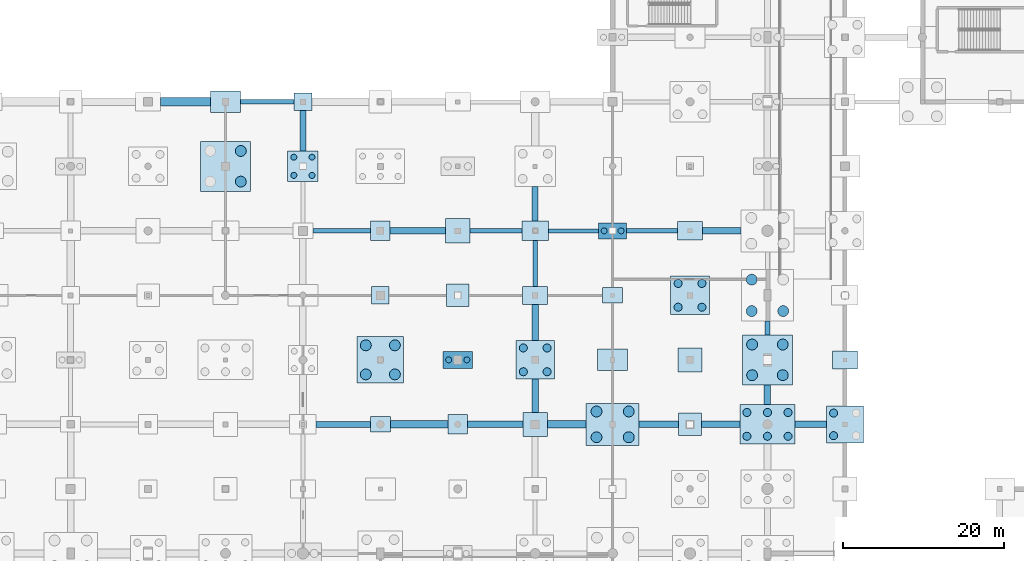
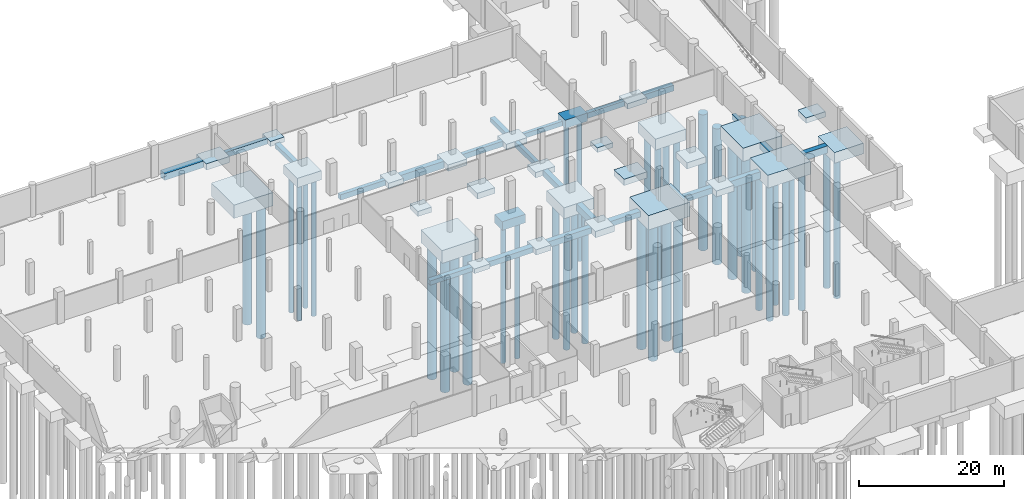
# One storey, part 8 of 44: 50 footings, 41 piles.
"""IFC4 building model written with IfcOpenShell, lengths in metres."""

from ifc_helpers import new_model, si_unit, direction, frame, origin, origin_2d, place, context, subcontext, project, spatial, rectangle, circle, extrude, material, material_profile, profile_set, type_object, element, save


model = new_model("IFC4")

# Units and contexts
model_context = context("Model", 3, precision=1e-05, world=origin(), true_north=direction((0.0, 1.0)))
body_context = subcontext(model_context, "Body", "Model", "MODEL_VIEW")
ifc_project = project(units=[si_unit("LENGTHUNIT", "METRE"), si_unit("AREAUNIT", "SQUARE_METRE"), si_unit("VOLUMEUNIT", "CUBIC_METRE"), si_unit("PLANEANGLEUNIT", "RADIAN"), si_unit("MASSUNIT", "GRAM", prefix="KILO")], contexts=[model_context])

# Site, building, storey
site_placement = place(None, origin())
site = spatial("IfcSite", under=ifc_project, at=site_placement, CompositionType="ELEMENT")
building_placement = place(site_placement, origin())
building = spatial("IfcBuilding", under=site, at=building_placement, Name="Danafjord Basin Convention Centre", CompositionType="ELEMENT")
storey_placement = place(building_placement, frame((0.0, 0.0, -5.39990234375)))
storey = spatial("IfcBuildingStorey", under=building, at=storey_placement, Name="B1", CompositionType="ELEMENT", Elevation=-5.39990234375)

# Footings
ifc_material_1 = material(Name="Concrete C40/50", Category="concrete")
footing_type_1 = type_object("IfcFootingType", Name="CAP-PC-01", PredefinedType="PILE_CAP", material=ifc_material_1)
footing_1_placement = place(storey_placement, frame((96.0, 96.0, -1.400146484375), z_axis=(0.0, 0.0, 1.0), x_axis=(1.0, 0.0, 0.0)))
element("IfcFooting", 1, at=footing_1_placement, inside=storey, type_object=footing_type_1, Name="B1 pile cap PC-01 at (96.0, 96.0)", PredefinedType="PILE_CAP", context=body_context, shape_type="SweptSolid", body=[
    extrude(rectangle(XDim=3.5, YDim=2.0, at=origin_2d()), origin(), (0.0, 0.0, 1.0), 1.39990234375),
])
footing_type_2 = type_object("IfcFootingType", Name="CAP-PC-02", PredefinedType="PILE_CAP", material=ifc_material_1)
footing_2_placement = place(storey_placement, frame((76.800048828125, 80.0, -2.05029296875), z_axis=(0.0, 0.0, 1.0), x_axis=(1.0, 0.0, 0.0)))
element("IfcFooting", 2, at=footing_2_placement, inside=storey, type_object=footing_type_2, Name="B1 pile cap PC-02 at (76.8, 80.0)", PredefinedType="PILE_CAP", context=body_context, shape_type="SweptSolid", body=[
    extrude(rectangle(XDim=3.699951171875, YDim=2.10009765625, at=origin_2d()), origin(), (0.0, 0.0, 1.0), 1.449951171875),
])
footing_type_3 = type_object("IfcFootingType", Name="CAP-PC-07", PredefinedType="PILE_CAP", material=ifc_material_1)
footing_3_placement = place(storey_placement, frame((57.60009765625, 104.0, -2.14990234375), z_axis=(0.0, 0.0, 1.0), x_axis=(1.0, 0.0, 0.0)))
element("IfcFooting", 3, at=footing_3_placement, inside=storey, type_object=footing_type_3, Name="B1 pile cap PC-07 at (57.6, 104.0)", PredefinedType="PILE_CAP", context=body_context, shape_type="SweptSolid", body=[
    extrude(rectangle(XDim=3.800048828125, YDim=3.800048828125, at=origin_2d()), origin(), (0.0, 0.0, 1.0), 1.550048828125),
])
footing_type_4 = type_object("IfcFootingType", Name="CAP-PC-10", PredefinedType="PILE_CAP", material=ifc_material_1)
footing_4_placement = place(storey_placement, frame((124.800048828125, 72.0, -1.80029296875), z_axis=(0.0, 0.0, 1.0), x_axis=(1.0, 0.0, 0.0)))
element("IfcFooting", 4, at=footing_4_placement, inside=storey, type_object=footing_type_4, Name="B1 pile cap PC-10 at (124.8, 72.0)", PredefinedType="PILE_CAP", context=body_context, shape_type="SweptSolid", body=[
    extrude(rectangle(XDim=4.60009765625, YDim=4.60009765625, at=origin_2d()), origin(), (0.0, 0.0, 1.0), 1.800048828125),
])
footing_type_5 = type_object("IfcFootingType", Name="CAP-PC-11", PredefinedType="PILE_CAP", material=ifc_material_1)
for number, where, z_axis, x_axis, name in (
    (5, (86.39990234375, 80.0, -2.4501953125), (0.0, 0.0, 1.0), (1.0, 0.0, 0.0), "B1 pile cap PC-11 at (86.4, 80.0)"),
    (6, (105.60009765625, 88.0, -2.4501953125), (0.0, 0.0, 1.0), (1.0, 0.0, 0.0), "B1 pile cap PC-11 at (105.6, 88.0)"),
):
    element("IfcFooting", number, at=place(storey_placement, frame(where, z_axis=z_axis, x_axis=x_axis)), inside=storey, type_object=footing_type_5, Name=name, PredefinedType="PILE_CAP", context=body_context, shape_type="SweptSolid", body=[
        extrude(rectangle(XDim=4.800048828125, YDim=4.800048828125, at=origin_2d()), origin(), (0.0, 0.0, 1.0), 1.85009765625),
    ])
footing_type_6 = type_object("IfcFootingType", Name="CAP-PC-15", PredefinedType="PILE_CAP", material=ifc_material_1)
footing_5_placement = place(storey_placement, frame((67.199951171875, 80.0, -2.75), z_axis=(0.0, 0.0, 1.0), x_axis=(1.0, 0.0, 0.0)))
element("IfcFooting", 7, at=footing_5_placement, inside=storey, type_object=footing_type_6, Name="B1 pile cap PC-15 at (67.2, 80.0)", PredefinedType="PILE_CAP", context=body_context, shape_type="SweptSolid", body=[
    extrude(rectangle(XDim=5.800048828125, YDim=5.800048828125, at=origin_2d()), origin(), (0.0, 0.0, 1.0), 2.14990234375),
])
footing_type_7 = type_object("IfcFootingType", Name="CAP-PC-19", PredefinedType="PILE_CAP", material=ifc_material_1)
footing_6_placement = place(storey_placement, frame((115.199951171875, 72.0, -2.150146484375), z_axis=(0.0, 0.0, 1.0), x_axis=(1.0, 0.0, 0.0)))
element("IfcFooting", 8, at=footing_6_placement, inside=storey, type_object=footing_type_7, Name="B1 pile cap PC-19 at (115.2, 72.0)", PredefinedType="PILE_CAP", context=body_context, shape_type="SweptSolid", body=[
    extrude(rectangle(XDim=6.800048828125, YDim=4.89990234375, at=origin_2d()), origin(), (0.0, 0.0, 1.0), 2.14990234375),
])
footing_type_8 = type_object("IfcFootingType", Name="CAP-PC-20", PredefinedType="PILE_CAP", material=ifc_material_1)
for number, where, z_axis, x_axis, name in (
    (9, (48.0, 104.0, -2.85009765625), (0.0, 0.0, 1.0), (1.0, 0.0, 0.0), "B1 pile cap PC-20 at (48.0, 104.0)"),
    (10, (115.199951171875, 80.0, -2.25), (0.0, 0.0, 1.0), (1.0, 0.0, 0.0), "B1 pile cap PC-20 at (115.2, 80.0)"),
):
    element("IfcFooting", number, at=place(storey_placement, frame(where, z_axis=z_axis, x_axis=x_axis)), inside=storey, type_object=footing_type_8, Name=name, PredefinedType="PILE_CAP", context=body_context, shape_type="SweptSolid", body=[
        extrude(rectangle(XDim=6.199951171875, YDim=6.199951171875, at=origin_2d()), origin(), (0.0, 0.0, 1.0), 2.25),
    ])
footing_type_9 = type_object("IfcFootingType", Name="CAP-PC-22", PredefinedType="PILE_CAP", material=ifc_material_1)
footing_7_placement = place(storey_placement, frame((96.0, 72.0, -2.400146484375), z_axis=(0.0, 0.0, 1.0), x_axis=(1.0, 0.0, 0.0)))
element("IfcFooting", 11, at=footing_7_placement, inside=storey, type_object=footing_type_9, Name="B1 pile cap PC-22 at (96.0, 72.0)", PredefinedType="PILE_CAP", context=body_context, shape_type="SweptSolid", body=[
    extrude(rectangle(XDim=6.60009765625, YDim=5.199951171875, at=origin_2d()), origin(), (0.0, 0.0, 1.0), 2.39990234375),
])
ifc_material_profile_1 = material_profile(ifc_material_1, rectangle(XDim=0.800048828125, YDim=1.0, at=origin_2d()), Name="GB 800x1000")
ifc_profile_set_1 = profile_set([ifc_material_profile_1], Name="Concrete C40/50")
footing_type_10 = type_object("IfcFootingType", Name="FBM-FB-01", PredefinedType="FOOTING_BEAM", material=ifc_profile_set_1)
footing_8_placement = place(storey_placement, frame((78.0, 72.0, -1.10009765625), z_axis=(1.0, 0.0, 0.0), x_axis=(0.0, 1.0, 0.0)))
element("IfcFooting", 12, at=footing_8_placement, inside=storey, type_object=footing_type_10, Name="B1 foundation beam FB-01", PredefinedType="FOOTING_BEAM", context=body_context, shape_type="SweptSolid", body=[
    extrude(rectangle(XDim=0.800048828125, YDim=1.0, at=origin_2d()), origin(), (0.0, 0.0, 1.0), 6.89990234375),
])
footing_9_placement = place(storey_placement, frame((86.39990234375, 82.39990234375, -1.10009765625), z_axis=(0.0, 1.0, 0.0), x_axis=(-1.0, 0.0, 0.0)))
element("IfcFooting", 13, at=footing_9_placement, inside=storey, type_object=footing_type_10, Name="B1 foundation tie beam FB-01", PredefinedType="FOOTING_BEAM", context=body_context, shape_type="SweptSolid", body=[
    extrude(rectangle(XDim=0.800048828125, YDim=1.0, at=origin_2d()), origin(), (0.0, 0.0, 1.0), 4.47509765625),
])
footing_10_placement = place(storey_placement, frame((99.300048828125, 72.0, -1.10009765625), z_axis=(1.0, 0.0, 0.0), x_axis=(0.0, 1.0, 0.0)))
element("IfcFooting", 14, at=footing_10_placement, inside=storey, type_object=footing_type_10, Name="B1 foundation beam FB-01", PredefinedType="FOOTING_BEAM", context=body_context, shape_type="SweptSolid", body=[
    extrude(rectangle(XDim=0.800048828125, YDim=1.0, at=origin_2d()), origin(), (0.0, 0.0, 1.0), 4.89990234375),
])
footing_11_placement = place(storey_placement, frame((107.14990234375, 96.0, -1.10009765625), z_axis=(1.0, 0.0, 0.0), x_axis=(0.0, 1.0, 0.0)))
element("IfcFooting", 15, at=footing_11_placement, inside=storey, type_object=footing_type_10, Name="B1 foundation beam FB-01", PredefinedType="FOOTING_BEAM", context=body_context, shape_type="SweptSolid", body=[
    extrude(rectangle(XDim=0.800048828125, YDim=1.0, at=origin_2d()), origin(), (0.0, 0.0, 1.0), 4.75),
])
footing_12_placement = place(storey_placement, frame((115.199951171875, 74.449951171875, -0.5), z_axis=(0.0, 1.0, 0.0), x_axis=(-1.0, 0.0, 0.0)))
element("IfcFooting", 16, at=footing_12_placement, inside=storey, type_object=footing_type_10, Name="B1 foundation tie beam FB-01", PredefinedType="FOOTING_BEAM", context=body_context, shape_type="SweptSolid", body=[
    extrude(rectangle(XDim=0.800048828125, YDim=1.0, at=origin_2d()), origin(), (0.0, 0.0, 1.0), 2.449951171875),
])
ifc_material_profile_2 = material_profile(ifc_material_1, rectangle(XDim=0.60009765625, YDim=0.89990234375, at=origin_2d()), Name="GB 600x900")
ifc_profile_set_2 = profile_set([ifc_material_profile_2], Name="Concrete C40/50")
footing_type_11 = type_object("IfcFootingType", Name="FBM-FB-02", PredefinedType="FOOTING_BEAM", material=ifc_profile_set_2)
footing_13_placement = place(storey_placement, frame((49.85009765625, 112.0, -0.4501953125), z_axis=(1.0, 0.0, 0.0), x_axis=(0.0, 1.0, 0.0)))
element("IfcFooting", 17, at=footing_13_placement, inside=storey, type_object=footing_type_11, Name="B1 foundation beam FB-02", PredefinedType="FOOTING_BEAM", context=body_context, shape_type="SweptSolid", body=[
    extrude(rectangle(XDim=0.60009765625, YDim=0.89990234375, at=origin_2d()), origin(), (0.0, 0.0, 1.0), 6.64990234375),
])
footing_14_placement = place(storey_placement, frame((58.85009765625, 96.0, -1.050048828125), z_axis=(1.0, 0.0, 0.0), x_axis=(0.0, 1.0, 0.0)))
element("IfcFooting", 18, at=footing_14_placement, inside=storey, type_object=footing_type_11, Name="B1 foundation beam FB-02", PredefinedType="FOOTING_BEAM", context=body_context, shape_type="SweptSolid", body=[
    extrude(rectangle(XDim=0.60009765625, YDim=0.89990234375, at=origin_2d()), origin(), (0.0, 0.0, 1.0), 7.14990234375),
])
footing_15_placement = place(storey_placement, frame((78.300048828125, 96.0, -1.050048828125), z_axis=(1.0, 0.0, 0.0), x_axis=(0.0, 1.0, 0.0)))
element("IfcFooting", 19, at=footing_15_placement, inside=storey, type_object=footing_type_11, Name="B1 foundation beam FB-02", PredefinedType="FOOTING_BEAM", context=body_context, shape_type="SweptSolid", body=[
    extrude(rectangle(XDim=0.60009765625, YDim=0.89990234375, at=origin_2d()), origin(), (0.0, 0.0, 1.0), 6.449951171875),
])
footing_16_placement = place(storey_placement, frame((86.39990234375, 89.125, -1.050048828125), z_axis=(0.0, 1.0, 0.0), x_axis=(-1.0, 0.0, 0.0)))
element("IfcFooting", 20, at=footing_16_placement, inside=storey, type_object=footing_type_11, Name="B1 foundation tie beam FB-02", PredefinedType="FOOTING_BEAM", context=body_context, shape_type="SweptSolid", body=[
    extrude(rectangle(XDim=0.60009765625, YDim=0.89990234375, at=origin_2d()), origin(), (0.0, 0.0, 1.0), 5.675048828125),
])
footing_17_placement = place(storey_placement, frame((97.75, 96.0, -1.050048828125), z_axis=(1.0, 0.0, 0.0), x_axis=(0.0, 1.0, 0.0)))
element("IfcFooting", 21, at=footing_17_placement, inside=storey, type_object=footing_type_11, Name="B1 foundation beam FB-02", PredefinedType="FOOTING_BEAM", context=body_context, shape_type="SweptSolid", body=[
    extrude(rectangle(XDim=0.60009765625, YDim=0.89990234375, at=origin_2d()), origin(), (0.0, 0.0, 1.0), 6.300048828125),
])
footing_18_placement = place(storey_placement, frame((115.199951171875, 83.10009765625, -0.4501953125), z_axis=(0.0, 1.0, 0.0), x_axis=(-1.0, 0.0, 0.0)))
element("IfcFooting", 22, at=footing_18_placement, inside=storey, type_object=footing_type_11, Name="B1 foundation tie beam FB-02", PredefinedType="FOOTING_BEAM", context=body_context, shape_type="SweptSolid", body=[
    extrude(rectangle(XDim=0.60009765625, YDim=0.89990234375, at=origin_2d()), origin(), (0.0, 0.0, 1.0), 1.699951171875),
])
ifc_material_profile_3 = material_profile(ifc_material_1, rectangle(XDim=0.5, YDim=0.800048828125, at=origin_2d()), Name="PCB 500x800")
ifc_profile_set_3 = profile_set([ifc_material_profile_3], Name="Concrete C40/50")
footing_type_12 = type_object("IfcFootingType", Name="FBM-FB-03", PredefinedType="FOOTING_BEAM", material=ifc_profile_set_3)
footing_19_placement = place(storey_placement, frame((88.050048828125, 96.0, -1.0), z_axis=(1.0, 0.0, 0.0), x_axis=(0.0, 1.0, 0.0)))
element("IfcFooting", 23, at=footing_19_placement, inside=storey, type_object=footing_type_12, Name="B1 foundation beam FB-03", PredefinedType="FOOTING_BEAM", context=body_context, shape_type="SweptSolid", body=[
    extrude(rectangle(XDim=0.5, YDim=0.800048828125, at=origin_2d()), origin(), (0.0, 0.0, 1.0), 6.199951171875),
])
ifc_material_profile_4 = material_profile(ifc_material_1, rectangle(XDim=0.75, YDim=0.75, at=origin_2d()), Name="RC 750x750")
ifc_profile_set_4 = profile_set([ifc_material_profile_4], Name="Concrete C40/50")
footing_type_13 = type_object("IfcFootingType", Name="FBM-FB-04", PredefinedType="FOOTING_BEAM", material=ifc_profile_set_4)
footing_20_placement = place(storey_placement, frame((59.25, 72.0, -0.97509765625), z_axis=(1.0, 0.0, 0.0), x_axis=(0.0, 1.0, 0.0)))
element("IfcFooting", 24, at=footing_20_placement, inside=storey, type_object=footing_type_13, Name="B1 foundation beam FB-04", PredefinedType="FOOTING_BEAM", context=body_context, shape_type="SweptSolid", body=[
    extrude(rectangle(XDim=0.75, YDim=0.75, at=origin_2d()), origin(), (0.0, 0.0, 1.0), 6.699951171875),
])
footing_21_placement = place(storey_placement, frame((57.60009765625, 105.89990234375, -0.97509765625), z_axis=(0.0, 1.0, 0.0), x_axis=(-1.0, 0.0, 0.0)))
element("IfcFooting", 25, at=footing_21_placement, inside=storey, type_object=footing_type_13, Name="B1 foundation tie beam FB-04", PredefinedType="FOOTING_BEAM", context=body_context, shape_type="SweptSolid", body=[
    extrude(rectangle(XDim=0.75, YDim=0.75, at=origin_2d()), origin(), (0.0, 0.0, 1.0), 5.0),
])
footing_22_placement = place(storey_placement, frame((86.39990234375, 97.199951171875, -0.97509765625), z_axis=(0.0, 1.0, 0.0), x_axis=(-1.0, 0.0, 0.0)))
element("IfcFooting", 26, at=footing_22_placement, inside=storey, type_object=footing_type_13, Name="B1 foundation tie beam FB-04", PredefinedType="FOOTING_BEAM", context=body_context, shape_type="SweptSolid", body=[
    extrude(rectangle(XDim=0.75, YDim=0.75, at=origin_2d()), origin(), (0.0, 0.0, 1.0), 4.300048828125),
])
ifc_material_profile_5 = material_profile(ifc_material_1, rectangle(XDim=0.89990234375, YDim=0.89990234375, at=origin_2d()), Name="RC 900x900")
ifc_profile_set_5 = profile_set([ifc_material_profile_5], Name="Concrete C40/50")
footing_type_14 = type_object("IfcFootingType", Name="FBM-FB-05", PredefinedType="FOOTING_BEAM", material=ifc_profile_set_5)
footing_23_placement = place(storey_placement, frame((68.449951171875, 72.0, -1.050048828125), z_axis=(1.0, 0.0, 0.0), x_axis=(0.0, 1.0, 0.0)))
element("IfcFooting", 27, at=footing_23_placement, inside=storey, type_object=footing_type_14, Name="B1 foundation beam FB-05", PredefinedType="FOOTING_BEAM", context=body_context, shape_type="SweptSolid", body=[
    extrude(rectangle(XDim=0.89990234375, YDim=0.89990234375, at=origin_2d()), origin(), (0.0, 0.0, 1.0), 7.150146484375),
])
footing_24_placement = place(storey_placement, frame((87.89990234375, 72.0, -1.050048828125), z_axis=(1.0, 0.0, 0.0), x_axis=(0.0, 1.0, 0.0)))
element("IfcFooting", 28, at=footing_24_placement, inside=storey, type_object=footing_type_14, Name="B1 foundation beam FB-05", PredefinedType="FOOTING_BEAM", context=body_context, shape_type="SweptSolid", body=[
    extrude(rectangle(XDim=0.89990234375, YDim=0.89990234375, at=origin_2d()), origin(), (0.0, 0.0, 1.0), 4.800048828125),
])
ifc_material_profile_6 = material_profile(ifc_material_1, rectangle(XDim=0.800048828125, YDim=1.199951171875, at=origin_2d()), Name="RC 1200x800")
ifc_profile_set_6 = profile_set([ifc_material_profile_6], Name="Concrete C40/50")
footing_type_15 = type_object("IfcFootingType", Name="FBM-FB-06", PredefinedType="FOOTING_BEAM", material=ifc_profile_set_6)
footing_25_placement = place(storey_placement, frame((68.39990234375, 96.0, -1.2001953125), z_axis=(1.0, 0.0, 0.0), x_axis=(0.0, 1.0, 0.0)))
element("IfcFooting", 29, at=footing_25_placement, inside=storey, type_object=footing_type_15, Name="B1 foundation beam FB-06", PredefinedType="FOOTING_BEAM", context=body_context, shape_type="SweptSolid", body=[
    extrude(rectangle(XDim=0.800048828125, YDim=1.199951171875, at=origin_2d()), origin(), (0.0, 0.0, 1.0), 6.900146484375),
])
footing_26_placement = place(storey_placement, frame((86.39990234375, 73.5, -1.2001953125), z_axis=(0.0, 1.0, 0.0), x_axis=(-1.0, 0.0, 0.0)))
element("IfcFooting", 30, at=footing_26_placement, inside=storey, type_object=footing_type_15, Name="B1 foundation tie beam FB-06", PredefinedType="FOOTING_BEAM", context=body_context, shape_type="SweptSolid", body=[
    extrude(rectangle(XDim=0.800048828125, YDim=1.199951171875, at=origin_2d()), origin(), (0.0, 0.0, 1.0), 4.10009765625),
])
footing_27_placement = place(storey_placement, frame((107.0, 72.0, -1.2001953125), z_axis=(1.0, 0.0, 0.0), x_axis=(0.0, 1.0, 0.0)))
element("IfcFooting", 31, at=footing_27_placement, inside=storey, type_object=footing_type_15, Name="B1 foundation beam FB-06", PredefinedType="FOOTING_BEAM", context=body_context, shape_type="SweptSolid", body=[
    extrude(rectangle(XDim=0.800048828125, YDim=1.199951171875, at=origin_2d()), origin(), (0.0, 0.0, 1.0), 4.800048828125),
])
footing_28_placement = place(storey_placement, frame((118.60009765625, 72.0, -0.60009765625), z_axis=(1.0, 0.0, 0.0), x_axis=(0.0, 1.0, 0.0)))
element("IfcFooting", 32, at=footing_28_placement, inside=storey, type_object=footing_type_15, Name="B1 foundation beam FB-06", PredefinedType="FOOTING_BEAM", context=body_context, shape_type="SweptSolid", body=[
    extrude(rectangle(XDim=0.800048828125, YDim=1.199951171875, at=origin_2d()), origin(), (0.0, 0.0, 1.0), 3.89990234375),
])
ifc_material_profile_7 = material_profile(ifc_material_1, rectangle(XDim=1.10009765625, YDim=1.10009765625, at=origin_2d()), Name="RC 1100x1100")
ifc_profile_set_7 = profile_set([ifc_material_profile_7], Name="Concrete C40/50")
footing_type_16 = type_object("IfcFootingType", Name="FBM-SF-01", PredefinedType="STRIP_FOOTING", material=ifc_profile_set_7)
footing_29_placement = place(storey_placement, frame((39.949951171875, 112.0, -0.550048828125), z_axis=(1.0, 0.0, 0.0), x_axis=(0.0, 1.0, 0.0)))
element("IfcFooting", 33, at=footing_29_placement, inside=storey, type_object=footing_type_16, Name="B1 foundation beam SF-01", PredefinedType="STRIP_FOOTING", context=body_context, shape_type="SweptSolid", body=[
    extrude(rectangle(XDim=1.10009765625, YDim=1.10009765625, at=origin_2d()), origin(), (0.0, 0.0, 1.0), 6.199951171875),
])
ifc_material_2 = material(Name="Concrete C35/45", Category="concrete")
footing_type_17 = type_object("IfcFootingType", Name="PAD-PF-02", PredefinedType="PAD_FOOTING", material=ifc_material_2)
for number, where, z_axis, x_axis, name in (
    (34, (57.60009765625, 112.0, -0.85009765625), (0.0, 0.0, 1.0), (1.0, 0.0, 0.0), "B1 pad footing PF-02 at (57.6, 112.0)"),
    (35, (67.199951171875, 88.0, -1.4501953125), (0.0, 0.0, 1.0), (1.0, 0.0, 0.0), "B1 pad footing PF-02 at (67.2, 88.0)"),
):
    element("IfcFooting", number, at=place(storey_placement, frame(where, z_axis=z_axis, x_axis=x_axis)), inside=storey, type_object=footing_type_17, Name=name, PredefinedType="PAD_FOOTING", context=body_context, shape_type="SweptSolid", body=[
        extrude(rectangle(XDim=2.199951171875, YDim=2.199951171875, at=origin_2d()), origin(), (0.0, 0.0, 1.0), 0.85009765625),
    ])
footing_type_18 = type_object("IfcFootingType", Name="PAD-PF-03", PredefinedType="PAD_FOOTING", material=ifc_material_2)
for number, where, z_axis, x_axis, name in (
    (36, (67.199951171875, 96.0, -1.5), (0.0, 0.0, 1.0), (1.0, 0.0, 0.0), "B1 pad footing PF-03 at (67.2, 96.0)"),
    (37, (76.800048828125, 72.0, -1.5), (0.0, 0.0, 1.0), (1.0, 0.0, 0.0), "B1 pad footing PF-03 at (76.8, 72.0)"),
):
    element("IfcFooting", number, at=place(storey_placement, frame(where, z_axis=z_axis, x_axis=x_axis)), inside=storey, type_object=footing_type_18, Name=name, PredefinedType="PAD_FOOTING", context=body_context, shape_type="SweptSolid", body=[
        extrude(rectangle(XDim=2.39990234375, YDim=2.39990234375, at=origin_2d()), origin(), (0.0, 0.0, 1.0), 0.89990234375),
    ])
footing_type_19 = type_object("IfcFootingType", Name="PAD-PF-05", PredefinedType="PAD_FOOTING", material=ifc_material_2)
for number, where, z_axis, x_axis, name in (
    (38, (76.800048828125, 88.0, -1.60009765625), (0.0, 0.0, 1.0), (1.0, 0.0, 0.0), "B1 pad footing PF-05 at (76.8, 88.0)"),
    (39, (105.60009765625, 72.0, -1.60009765625), (0.0, 0.0, 1.0), (1.0, 0.0, 0.0), "B1 pad footing PF-05 at (105.6, 72.0)"),
):
    element("IfcFooting", number, at=place(storey_placement, frame(where, z_axis=z_axis, x_axis=x_axis)), inside=storey, type_object=footing_type_19, Name=name, PredefinedType="PAD_FOOTING", context=body_context, shape_type="SweptSolid", body=[
        extrude(rectangle(XDim=2.800048828125, YDim=2.800048828125, at=origin_2d()), origin(), (0.0, 0.0, 1.0), 1.0),
    ])
footing_type_20 = type_object("IfcFootingType", Name="PAD-PF-06", PredefinedType="PAD_FOOTING", material=ifc_material_2)
for number, where, z_axis, x_axis, name in (
    (40, (76.800048828125, 96.0, -1.64990234375), (0.0, 0.0, 1.0), (1.0, 0.0, 0.0), "B1 pad footing PF-06 at (76.8, 96.0)"),
    (41, (86.39990234375, 72.0, -1.64990234375), (0.0, 0.0, 1.0), (1.0, 0.0, 0.0), "B1 pad footing PF-06 at (86.4, 72.0)"),
    (42, (105.60009765625, 80.0, -1.64990234375), (0.0, 0.0, 1.0), (1.0, 0.0, 0.0), "B1 pad footing PF-06 at (105.6, 80.0)"),
):
    element("IfcFooting", number, at=place(storey_placement, frame(where, z_axis=z_axis, x_axis=x_axis)), inside=storey, type_object=footing_type_20, Name=name, PredefinedType="PAD_FOOTING", context=body_context, shape_type="SweptSolid", body=[
        extrude(rectangle(XDim=3.0, YDim=3.0, at=origin_2d()), origin(), (0.0, 0.0, 1.0), 1.050048828125),
    ])
footing_type_21 = type_object("IfcFootingType", Name="PAD-PF-08", PredefinedType="PAD_FOOTING", material=ifc_material_2)
for number, where, z_axis, x_axis, name in (
    (43, (86.39990234375, 88.0, -1.5), (0.0, 0.0, 1.0), (1.0, 0.0, 0.0), "B1 pad footing PF-08 at (86.4, 88.0)"),
    (44, (105.60009765625, 96.0, -1.5), (0.0, 0.0, 1.0), (1.0, 0.0, 0.0), "B1 pad footing PF-08 at (105.6, 96.0)"),
    (45, (124.800048828125, 80.0, -0.900146484375), (0.0, 0.0, 1.0), (1.0, 0.0, 0.0), "B1 pad footing PF-08 at (124.8, 80.0)"),
):
    element("IfcFooting", number, at=place(storey_placement, frame(where, z_axis=z_axis, x_axis=x_axis)), inside=storey, type_object=footing_type_21, Name=name, PredefinedType="PAD_FOOTING", context=body_context, shape_type="SweptSolid", body=[
        extrude(rectangle(XDim=3.10009765625, YDim=2.25, at=origin_2d()), origin(), (0.0, 0.0, 1.0), 0.89990234375),
    ])
footing_type_22 = type_object("IfcFootingType", Name="PAD-PF-09", PredefinedType="PAD_FOOTING", material=ifc_material_2)
footing_30_placement = place(storey_placement, frame((86.39990234375, 96.0, -1.55029296875), z_axis=(0.0, 0.0, 1.0), x_axis=(1.0, 0.0, 0.0)))
element("IfcFooting", 46, at=footing_30_placement, inside=storey, type_object=footing_type_22, Name="B1 pad footing PF-09 at (86.4, 96.0)", PredefinedType="PAD_FOOTING", context=body_context, shape_type="SweptSolid", body=[
    extrude(rectangle(XDim=3.300048828125, YDim=2.39990234375, at=origin_2d()), origin(), (0.0, 0.0, 1.0), 0.949951171875),
])
footing_type_23 = type_object("IfcFootingType", Name="PAD-PF-11", PredefinedType="PAD_FOOTING", material=ifc_material_2)
for number, where, z_axis, x_axis, name in (
    (47, (48.0, 112.0, -1.05029296875), (0.0, 0.0, 1.0), (1.0, 0.0, 0.0), "B1 pad footing PF-11 at (48.0, 112.0)"),
    (48, (96.0, 80.0, -1.05029296875), (0.0, 0.0, 1.0), (1.0, 0.0, 0.0), "B1 pad footing PF-11 at (96.0, 80.0)"),
):
    element("IfcFooting", number, at=place(storey_placement, frame(where, z_axis=z_axis, x_axis=x_axis)), inside=storey, type_object=footing_type_23, Name=name, PredefinedType="PAD_FOOTING", context=body_context, shape_type="SweptSolid", body=[
        extrude(rectangle(XDim=3.699951171875, YDim=2.699951171875, at=origin_2d()), origin(), (0.0, 0.0, 1.0), 1.050048828125),
    ])
footing_type_24 = type_object("IfcFootingType", Name="PAD-PF-12", PredefinedType="PAD_FOOTING", material=ifc_material_2)
for number, where, z_axis, x_axis, name in (
    (49, (67.199951171875, 72.0, -1.39990234375), (0.0, 0.0, 1.0), (1.0, 0.0, 0.0), "B1 pad footing PF-12 at (67.2, 72.0)"),
    (50, (96.0, 88.0, -0.80029296875), (0.0, 0.0, 1.0), (1.0, 0.0, 0.0), "B1 pad footing PF-12 at (96.0, 88.0)"),
):
    element("IfcFooting", number, at=place(storey_placement, frame(where, z_axis=z_axis, x_axis=x_axis)), inside=storey, type_object=footing_type_24, Name=name, PredefinedType="PAD_FOOTING", context=body_context, shape_type="SweptSolid", body=[
        extrude(rectangle(XDim=2.5, YDim=1.89990234375, at=origin_2d()), origin(), (0.0, 0.0, 1.0), 0.800048828125),
    ])

# Piles
ifc_material_profile_8 = material_profile(ifc_material_1, circle(Radius=0.5, at=origin_2d()), Name="PILE D1000")
ifc_profile_set_8 = profile_set([ifc_material_profile_8], Name="Concrete C40/50")
pile_type_1 = type_object("IfcPileType", Name="PILE-PL-1000", PredefinedType="BORED", material=ifc_profile_set_8)
for number, where, z_axis, x_axis, name in (
    (51, (84.925048828125, 78.52490234375, -2.35009765625), (0.0, 0.0, -1.0), (1.0, 0.0, 0.0), "PC-11 bored pile 1-1"),
    (52, (84.925048828125, 81.47509765625, -2.35009765625), (0.0, 0.0, -1.0), (1.0, 0.0, 0.0), "PC-11 bored pile 1-2"),
    (53, (87.875, 78.52490234375, -2.35009765625), (0.0, 0.0, -1.0), (1.0, 0.0, 0.0), "PC-11 bored pile 2-1"),
    (54, (87.875, 81.47509765625, -2.35009765625), (0.0, 0.0, -1.0), (1.0, 0.0, 0.0), "PC-11 bored pile 2-2"),
    (55, (104.125, 86.52490234375, -2.35009765625), (0.0, 0.0, -1.0), (1.0, 0.0, 0.0), "PC-11 bored pile 1-1"),
    (56, (104.125, 89.47509765625, -2.35009765625), (0.0, 0.0, -1.0), (1.0, 0.0, 0.0), "PC-11 bored pile 1-2"),
    (57, (107.074951171875, 86.52490234375, -2.35009765625), (0.0, 0.0, -1.0), (1.0, 0.0, 0.0), "PC-11 bored pile 2-1"),
    (58, (107.074951171875, 89.47509765625, -2.35009765625), (0.0, 0.0, -1.0), (1.0, 0.0, 0.0), "PC-11 bored pile 2-2"),
):
    element("IfcPile", number, at=place(storey_placement, frame(where, z_axis=z_axis, x_axis=x_axis)), inside=storey, type_object=pile_type_1, Name=name, PredefinedType="BORED", context=body_context, shape_type="SweptSolid", body=[
        extrude(circle(Radius=0.5, at=origin_2d()), origin(), (0.0, 0.0, 1.0), 22.75),
    ])
for number, where, z_axis, x_axis, name in (
    (59, (112.64990234375, 70.52490234375, -2.050048828125), (0.0, 0.0, -1.0), (1.0, 0.0, 0.0), "PC-19 bored pile 1-1"),
    (60, (112.64990234375, 73.47509765625, -2.050048828125), (0.0, 0.0, -1.0), (1.0, 0.0, 0.0), "PC-19 bored pile 1-2"),
    (61, (115.199951171875, 70.52490234375, -2.050048828125), (0.0, 0.0, -1.0), (1.0, 0.0, 0.0), "PC-19 bored pile 2-1"),
    (62, (115.199951171875, 73.47509765625, -2.050048828125), (0.0, 0.0, -1.0), (1.0, 0.0, 0.0), "PC-19 bored pile 2-2"),
    (63, (117.75, 70.52490234375, -2.050048828125), (0.0, 0.0, -1.0), (1.0, 0.0, 0.0), "PC-19 bored pile 3-1"),
    (64, (117.75, 73.47509765625, -2.050048828125), (0.0, 0.0, -1.0), (1.0, 0.0, 0.0), "PC-19 bored pile 3-2"),
):
    element("IfcPile", number, at=place(storey_placement, frame(where, z_axis=z_axis, x_axis=x_axis)), inside=storey, type_object=pile_type_1, Name=name, PredefinedType="BORED", context=body_context, shape_type="SweptSolid", body=[
        extrude(circle(Radius=0.5, at=origin_2d()), origin(), (0.0, 0.0, 1.0), 23.050048828125),
    ])
for number, where, z_axis, x_axis, name in (
    (65, (123.39990234375, 70.60009765625, -1.7001953125), (0.0, 0.0, -1.0), (1.0, 0.0, 0.0), "PC-10 bored pile 1-1"),
    (66, (123.39990234375, 73.39990234375, -1.7001953125), (0.0, 0.0, -1.0), (1.0, 0.0, 0.0), "PC-10 bored pile 1-2"),
):
    element("IfcPile", number, at=place(storey_placement, frame(where, z_axis=z_axis, x_axis=x_axis)), inside=storey, type_object=pile_type_1, Name=name, PredefinedType="BORED", context=body_context, shape_type="SweptSolid", body=[
        extrude(circle(Radius=0.5, at=origin_2d()), origin(), (0.0, 0.0, 1.0), 23.39990234375),
    ])
ifc_material_profile_9 = material_profile(ifc_material_1, circle(Radius=0.675048828125, at=origin_2d()), Name="PILE D1350")
ifc_profile_set_9 = profile_set([ifc_material_profile_9], Name="Concrete C40/50")
pile_type_2 = type_object("IfcPileType", Name="PILE-PL-1350", PredefinedType="BORED", material=ifc_profile_set_9)
for number, where, z_axis, x_axis, name in (
    (67, (49.89990234375, 102.10009765625, -2.75), (0.0, 0.0, -1.0), (1.0, 0.0, 0.0), "PC-20 bored pile 2-1"),
    (68, (49.89990234375, 105.89990234375, -2.75), (0.0, 0.0, -1.0), (1.0, 0.0, 0.0), "PC-20 bored pile 2-2"),
):
    element("IfcPile", number, at=place(storey_placement, frame(where, z_axis=z_axis, x_axis=x_axis)), inside=storey, type_object=pile_type_2, Name=name, PredefinedType="BORED", context=body_context, shape_type="SweptSolid", body=[
        extrude(circle(Radius=0.675048828125, at=origin_2d()), origin(), (0.0, 0.0, 1.0), 22.35009765625),
    ])
for number, where, z_axis, x_axis, name in (
    (69, (65.39990234375, 78.199951171875, -2.650146484375), (0.0, 0.0, -1.0), (1.0, 0.0, 0.0), "PC-15 bored pile 1-1"),
    (70, (65.39990234375, 81.800048828125, -2.650146484375), (0.0, 0.0, -1.0), (1.0, 0.0, 0.0), "PC-15 bored pile 1-2"),
    (71, (69.0, 78.199951171875, -2.650146484375), (0.0, 0.0, -1.0), (1.0, 0.0, 0.0), "PC-15 bored pile 2-1"),
    (72, (69.0, 81.800048828125, -2.650146484375), (0.0, 0.0, -1.0), (1.0, 0.0, 0.0), "PC-15 bored pile 2-2"),
):
    element("IfcPile", number, at=place(storey_placement, frame(where, z_axis=z_axis, x_axis=x_axis)), inside=storey, type_object=pile_type_2, Name=name, PredefinedType="BORED", context=body_context, shape_type="SweptSolid", body=[
        extrude(circle(Radius=0.675048828125, at=origin_2d()), origin(), (0.0, 0.0, 1.0), 22.449951171875),
    ])
for number, where, z_axis, x_axis, name in (
    (73, (94.0, 70.39990234375, -2.300048828125), (0.0, 0.0, -1.0), (1.0, 0.0, 0.0), "PC-22 bored pile 1-1"),
    (74, (94.0, 73.60009765625, -2.300048828125), (0.0, 0.0, -1.0), (1.0, 0.0, 0.0), "PC-22 bored pile 1-2"),
    (75, (98.0, 70.39990234375, -2.300048828125), (0.0, 0.0, -1.0), (1.0, 0.0, 0.0), "PC-22 bored pile 2-1"),
    (76, (98.0, 73.60009765625, -2.300048828125), (0.0, 0.0, -1.0), (1.0, 0.0, 0.0), "PC-22 bored pile 2-2"),
):
    element("IfcPile", number, at=place(storey_placement, frame(where, z_axis=z_axis, x_axis=x_axis)), inside=storey, type_object=pile_type_2, Name=name, PredefinedType="BORED", context=body_context, shape_type="SweptSolid", body=[
        extrude(circle(Radius=0.675048828125, at=origin_2d()), origin(), (0.0, 0.0, 1.0), 22.800048828125),
    ])
for number, where, z_axis, x_axis, name in (
    (77, (113.300048828125, 78.10009765625, -2.150146484375), (0.0, 0.0, -1.0), (1.0, 0.0, 0.0), "PC-20 bored pile 1-1"),
    (78, (113.300048828125, 81.89990234375, -2.150146484375), (0.0, 0.0, -1.0), (1.0, 0.0, 0.0), "PC-20 bored pile 1-2"),
    (79, (117.10009765625, 78.10009765625, -2.150146484375), (0.0, 0.0, -1.0), (1.0, 0.0, 0.0), "PC-20 bored pile 2-1"),
    (80, (117.10009765625, 81.89990234375, -2.150146484375), (0.0, 0.0, -1.0), (1.0, 0.0, 0.0), "PC-20 bored pile 2-2"),
):
    element("IfcPile", number, at=place(storey_placement, frame(where, z_axis=z_axis, x_axis=x_axis)), inside=storey, type_object=pile_type_2, Name=name, PredefinedType="BORED", context=body_context, shape_type="SweptSolid", body=[
        extrude(circle(Radius=0.675048828125, at=origin_2d()), origin(), (0.0, 0.0, 1.0), 22.949951171875),
    ])
for number, where, z_axis, x_axis, name in (
    (81, (113.25, 86.050048828125, -2.2001953125), (0.0, 0.0, -1.0), (1.0, 0.0, 0.0), "PC-21 bored pile 1-1"),
    (82, (113.25, 89.949951171875, -2.2001953125), (0.0, 0.0, -1.0), (1.0, 0.0, 0.0), "PC-21 bored pile 1-2"),
    (83, (117.14990234375, 86.050048828125, -2.2001953125), (0.0, 0.0, -1.0), (1.0, 0.0, 0.0), "PC-21 bored pile 2-1"),
):
    element("IfcPile", number, at=place(storey_placement, frame(where, z_axis=z_axis, x_axis=x_axis)), inside=storey, type_object=pile_type_2, Name=name, PredefinedType="BORED", context=body_context, shape_type="SweptSolid", body=[
        extrude(circle(Radius=0.675048828125, at=origin_2d()), origin(), (0.0, 0.0, 1.0), 22.89990234375),
    ])
ifc_material_profile_10 = material_profile(ifc_material_1, circle(Radius=0.375, at=origin_2d()), Name="PILE D750")
ifc_profile_set_10 = profile_set([ifc_material_profile_10], Name="Concrete C40/50")
pile_type_3 = type_object("IfcPileType", Name="PILE-PL-750", PredefinedType="BORED", material=ifc_profile_set_10)
for number, where, z_axis, x_axis, name in (
    (84, (56.47509765625, 102.875, -2.050048828125), (0.0, 0.0, -1.0), (1.0, 0.0, 0.0), "PC-07 bored pile 1-1"),
    (85, (56.47509765625, 105.125, -2.050048828125), (0.0, 0.0, -1.0), (1.0, 0.0, 0.0), "PC-07 bored pile 1-2"),
    (86, (58.72509765625, 102.875, -2.050048828125), (0.0, 0.0, -1.0), (1.0, 0.0, 0.0), "PC-07 bored pile 2-1"),
    (87, (58.72509765625, 105.125, -2.050048828125), (0.0, 0.0, -1.0), (1.0, 0.0, 0.0), "PC-07 bored pile 2-2"),
):
    element("IfcPile", number, at=place(storey_placement, frame(where, z_axis=z_axis, x_axis=x_axis)), inside=storey, type_object=pile_type_3, Name=name, PredefinedType="BORED", context=body_context, shape_type="SweptSolid", body=[
        extrude(circle(Radius=0.375, at=origin_2d()), origin(), (0.0, 0.0, 1.0), 23.050048828125),
    ])
for number, where, z_axis, x_axis, name in (
    (88, (75.675048828125, 80.0, -1.9501953125), (0.0, 0.0, -1.0), (1.0, 0.0, 0.0), "PC-02 bored pile 1-1"),
    (89, (77.925048828125, 80.0, -1.9501953125), (0.0, 0.0, -1.0), (1.0, 0.0, 0.0), "PC-02 bored pile 2-1"),
):
    element("IfcPile", number, at=place(storey_placement, frame(where, z_axis=z_axis, x_axis=x_axis)), inside=storey, type_object=pile_type_3, Name=name, PredefinedType="BORED", context=body_context, shape_type="SweptSolid", body=[
        extrude(circle(Radius=0.375, at=origin_2d()), origin(), (0.0, 0.0, 1.0), 23.14990234375),
    ])
for number, where, z_axis, x_axis, name in (
    (90, (94.949951171875, 96.0, -1.300048828125), (0.0, 0.0, -1.0), (1.0, 0.0, 0.0), "PC-01 bored pile 1-1"),
    (91, (97.050048828125, 96.0, -1.300048828125), (0.0, 0.0, -1.0), (1.0, 0.0, 0.0), "PC-01 bored pile 2-1"),
):
    element("IfcPile", number, at=place(storey_placement, frame(where, z_axis=z_axis, x_axis=x_axis)), inside=storey, type_object=pile_type_3, Name=name, PredefinedType="BORED", context=body_context, shape_type="SweptSolid", body=[
        extrude(circle(Radius=0.375, at=origin_2d()), origin(), (0.0, 0.0, 1.0), 23.800048828125),
    ])

save(model, "model.ifc")
